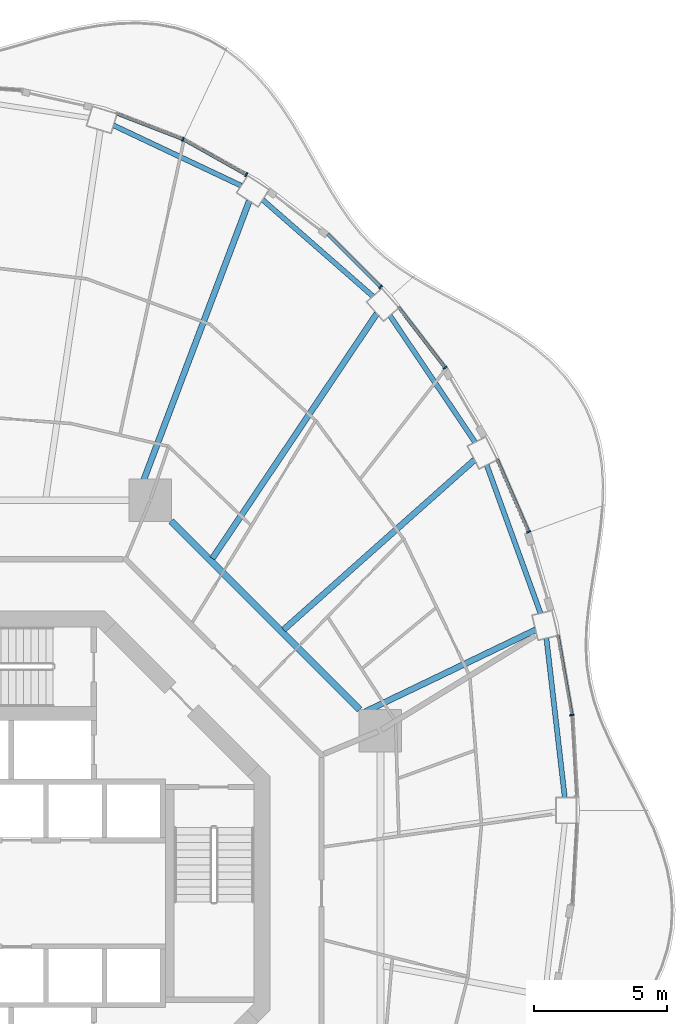
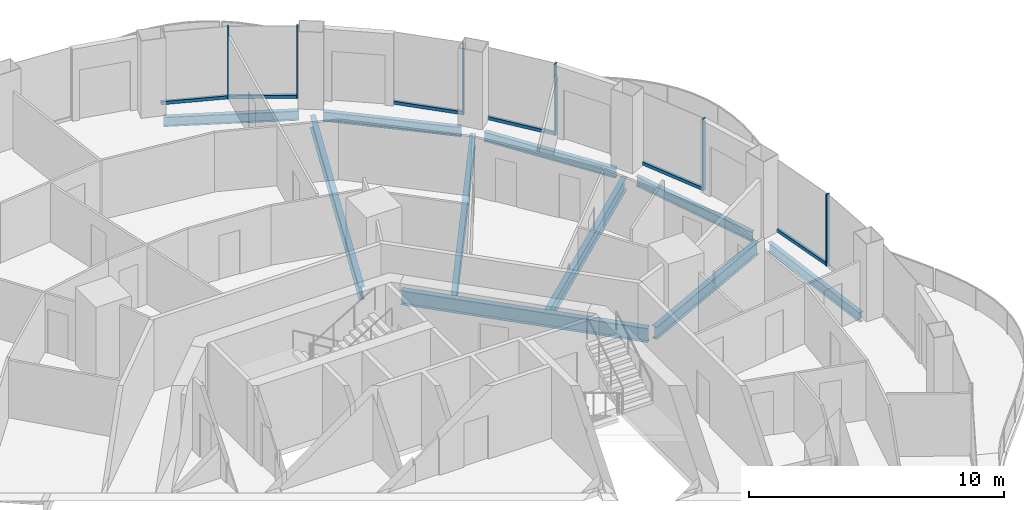
# One storey, part 7 of 18: 12 members, 10 beams, 6 elements without a shape of their own.
"""IFC4 building model written with IfcOpenShell, lengths in metres."""

from ifc_helpers import new_model, si_unit, direction, frame, origin, origin_2d, place, context, subcontext, project, spatial, rectangle, i_section, extrude, material, layer, layer_set, material_profile, profile_set, type_object, element, aggregate, save


model = new_model("IFC4")

# Units and contexts
model_context = context("Model", 3, precision=1e-05, world=origin(), true_north=direction((0.0, 1.0)))
body_context = subcontext(model_context, "Body", "Model", "MODEL_VIEW")
ifc_project = project(units=[si_unit("LENGTHUNIT", "METRE"), si_unit("AREAUNIT", "SQUARE_METRE"), si_unit("VOLUMEUNIT", "CUBIC_METRE"), si_unit("PLANEANGLEUNIT", "RADIAN"), si_unit("MASSUNIT", "GRAM", prefix="KILO")], contexts=[model_context])

# Site, building, storey
site_placement = place(None, origin())
site = spatial("IfcSite", under=ifc_project, at=site_placement, CompositionType="ELEMENT")
building_placement = place(site_placement, origin())
building = spatial("IfcBuilding", under=site, at=building_placement, Name="Nagisa Residences", CompositionType="ELEMENT")
storey_placement = place(building_placement, frame((0.0, 0.0, 245.5)))
storey = spatial("IfcBuildingStorey", under=building, at=storey_placement, Name="L62", CompositionType="ELEMENT", Elevation=245.5)

# Curtain wall, member
ifc_material_1 = material(Name="Concrete-coloured aluminium curtain wall system", Category="concrete")
ifc_layer = layer(ifc_material_1, 0.159912109375)
ifc_layer_set = layer_set([ifc_layer], Name="CW1 CURTAIN WALL")
curtain_wall_type = type_object("IfcCurtainWallType", Name="CW1 CURTAIN WALL", PredefinedType="NOTDEFINED", material=ifc_layer_set)
curtain_wall_1_placement = place(storey_placement, origin())
curtain_wall_1 = element("IfcCurtainWall", 1, at=curtain_wall_1_placement, inside=storey, type_object=curtain_wall_type, Name="cw:CW1:L62:01", PredefinedType="NOTDEFINED")
ifc_material_2 = material(Name="Concrete-coloured aluminium", Category="concrete")
ifc_material_profile_1 = material_profile(ifc_material_2, rectangle(XDim=0.159912109375, YDim=0.06005859375, at=origin_2d()), Name="CW1 MULLION 160x60")
ifc_profile_set_1 = profile_set([ifc_material_profile_1], Name="Concrete-coloured aluminium")
member_type_1 = type_object("IfcMemberType", Name="CW1 MULLION 160x60", PredefinedType="MULLION", material=ifc_profile_set_1)
member_1_placement = place(storey_placement, frame((21.980224609375, 6.70849609375, 0.0), z_axis=(0.0, 0.0, 1.0), x_axis=(-0.985063604377, -0.172190868898, 0.0)))
member_1 = element("IfcMember", 2, at=member_1_placement, type_object=member_type_1, Name="CW1 mullion", PredefinedType="MULLION", context=body_context, shape_type="SweptSolid", body=[
    extrude(rectangle(XDim=0.159912109375, YDim=0.06005859375, at=origin_2d()), origin(), (0.0, 0.0, 1.0), 3.43994140625),
])

curtain_wall_2_placement = place(storey_placement, origin())
curtain_wall_2 = element("IfcCurtainWall", 3, at=curtain_wall_2_placement, inside=storey, type_object=curtain_wall_type, Name="cw:CW1:L62:03", PredefinedType="NOTDEFINED")
member_2_placement = place(storey_placement, frame((20.3525390625, 13.59521484375, 0.0), z_axis=(0.0, 0.0, 1.0), x_axis=(-0.917543276295, -0.397635934147, 0.0)))
member_2 = element("IfcMember", 4, at=member_2_placement, type_object=member_type_1, Name="CW1 mullion", PredefinedType="MULLION", context=body_context, shape_type="SweptSolid", body=[
    extrude(rectangle(XDim=0.159912109375, YDim=0.06005859375, at=origin_2d()), origin(), (0.0, 0.0, 1.0), 3.43994140625),
])

curtain_wall_3_placement = place(storey_placement, origin())
curtain_wall_3 = element("IfcCurtainWall", 5, at=curtain_wall_3_placement, inside=storey, type_object=curtain_wall_type, Name="cw:CW1:L62:05", PredefinedType="NOTDEFINED")
member_3_placement = place(storey_placement, frame((17.21435546875, 19.7666015625, 0.0), z_axis=(0.0, 0.0, 1.0), x_axis=(-0.792070340816, -0.610429828235, 0.0)))
member_3 = element("IfcMember", 6, at=member_3_placement, type_object=member_type_1, Name="CW1 mullion", PredefinedType="MULLION", context=body_context, shape_type="SweptSolid", body=[
    extrude(rectangle(XDim=0.159912109375, YDim=0.06005859375, at=origin_2d()), origin(), (0.0, 0.0, 1.0), 3.43994140625),
])

curtain_wall_4_placement = place(storey_placement, origin())
curtain_wall_4 = element("IfcCurtainWall", 7, at=curtain_wall_4_placement, inside=storey, type_object=curtain_wall_type, Name="cw:CW1:L62:06", PredefinedType="NOTDEFINED")
member_4_placement = place(storey_placement, frame((14.788330078125, 22.802978515625, 0.0), z_axis=(0.0, 0.0, 1.0), x_axis=(-0.706376885714, -0.707835924016, 0.0)))
member_4 = element("IfcMember", 8, at=member_4_placement, type_object=member_type_1, Name="CW1 mullion", PredefinedType="MULLION", context=body_context, shape_type="SweptSolid", body=[
    extrude(rectangle(XDim=0.159912109375, YDim=0.06005859375, at=origin_2d()), origin(), (0.0, 0.0, 1.0), 3.43994140625),
])

curtain_wall_5_placement = place(storey_placement, origin())
curtain_wall_5 = element("IfcCurtainWall", 9, at=curtain_wall_5_placement, inside=storey, type_object=curtain_wall_type, Name="cw:CW1:L62:08", PredefinedType="NOTDEFINED")
member_5_placement = place(storey_placement, frame((9.733642578125, 27.02783203125, 0.0), z_axis=(0.0, 0.0, 1.0), x_axis=(-0.489376918501, -0.872072377523, 0.0)))
member_5 = element("IfcMember", 10, at=member_5_placement, type_object=member_type_1, Name="CW1 mullion", PredefinedType="MULLION", context=body_context, shape_type="SweptSolid", body=[
    extrude(rectangle(XDim=0.159912109375, YDim=0.06005859375, at=origin_2d()), origin(), (0.0, 0.0, 1.0), 3.43994140625),
])

curtain_wall_6_placement = place(storey_placement, origin())
curtain_wall_6 = element("IfcCurtainWall", 11, at=curtain_wall_6_placement, inside=storey, type_object=curtain_wall_type, Name="cw:CW1:L62:09", PredefinedType="NOTDEFINED")
member_6_placement = place(storey_placement, frame((7.3544921875, 28.35888671875, 0.0), z_axis=(0.0, 0.0, 1.0), x_axis=(-0.360327770268, -0.932825759707, 0.0)))
member_6 = element("IfcMember", 12, at=member_6_placement, type_object=member_type_1, Name="CW1 mullion", PredefinedType="MULLION", context=body_context, shape_type="SweptSolid", body=[
    extrude(rectangle(XDim=0.159912109375, YDim=0.06005859375, at=origin_2d()), origin(), (0.0, 0.0, 1.0), 3.43994140625),
])

# Member
ifc_material_3 = material(Name="Concrete-coloured aluminium", Category="concrete")
ifc_material_profile_2 = material_profile(ifc_material_3, rectangle(XDim=0.1201171875, YDim=0.14990234375, at=origin_2d()), Name="CW1 TRANSOM 120x150")
ifc_profile_set_2 = profile_set([ifc_material_profile_2], Name="Concrete-coloured aluminium")
member_type_2 = type_object("IfcMemberType", Name="CW1 TRANSOM 120x150", PredefinedType="USERDEFINED", material=ifc_profile_set_2)
member_7_placement = place(storey_placement, frame((21.9853515625, 6.678955078125, 0.074951171875), z_axis=(-0.172241318156, 0.985054784426, 0.0), x_axis=(-0.985054784426, -0.172241318156, 0.0)))
member_7 = element("IfcMember", 13, at=member_7_placement, type_object=member_type_2, Name="CW1 transom", ObjectType="TRANSOM", PredefinedType="USERDEFINED", context=body_context, shape_type="SweptSolid", body=[
    extrude(rectangle(XDim=0.1201171875, YDim=0.14990234375, at=origin_2d()), origin(), (0.0, 0.0, 1.0), 3.0673828125),
])

aggregate(curtain_wall_1, [member_1, member_7])

member_8_placement = place(storey_placement, frame((20.3642578125, 13.567626953125, 0.074951171875), z_axis=(-0.397616567135, 0.917551669139, 0.0), x_axis=(-0.917551669139, -0.397616567135, 0.0)))
member_8 = element("IfcMember", 14, at=member_8_placement, type_object=member_type_2, Name="CW1 transom", ObjectType="TRANSOM", PredefinedType="USERDEFINED", context=body_context, shape_type="SweptSolid", body=[
    extrude(rectangle(XDim=0.1201171875, YDim=0.14990234375, at=origin_2d()), origin(), (0.0, 0.0, 1.0), 3.001953125),
])

aggregate(curtain_wall_2, [member_2, member_8])

member_9_placement = place(storey_placement, frame((17.232666015625, 19.742919921875, 0.074951171875), z_axis=(-0.610438565676, 0.792063607001, 0.0), x_axis=(-0.792063607001, -0.610438565676, 0.0)))
member_9 = element("IfcMember", 15, at=member_9_placement, type_object=member_type_2, Name="CW1 transom", ObjectType="TRANSOM", PredefinedType="USERDEFINED", context=body_context, shape_type="SweptSolid", body=[
    extrude(rectangle(XDim=0.1201171875, YDim=0.14990234375, at=origin_2d()), origin(), (0.0, 0.0, 1.0), 2.90087890625),
])

aggregate(curtain_wall_3, [member_3, member_9])

member_10_placement = place(storey_placement, frame((14.8095703125, 22.781982421875, 0.074951171875), z_axis=(-0.707836044127, 0.706376765356, 0.0), x_axis=(-0.706376765356, -0.707836044127, 0.0)))
member_10 = element("IfcMember", 16, at=member_10_placement, type_object=member_type_2, Name="CW1 transom", ObjectType="TRANSOM", PredefinedType="USERDEFINED", context=body_context, shape_type="SweptSolid", body=[
    extrude(rectangle(XDim=0.1201171875, YDim=0.14990234375, at=origin_2d()), origin(), (0.0, 0.0, 1.0), 2.84423828125),
])

aggregate(curtain_wall_4, [member_4, member_10])

member_11_placement = place(storey_placement, frame((9.759765625, 27.012939453125, 0.074951171875), z_axis=(-0.872041873719, 0.489431272479, 0.0), x_axis=(-0.489431272479, -0.872041873719, 0.0)))
member_11 = element("IfcMember", 17, at=member_11_placement, type_object=member_type_2, Name="CW1 transom", ObjectType="TRANSOM", PredefinedType="USERDEFINED", context=body_context, shape_type="SweptSolid", body=[
    extrude(rectangle(XDim=0.1201171875, YDim=0.14990234375, at=origin_2d()), origin(), (0.0, 0.0, 1.0), 2.738037109375),
])

aggregate(curtain_wall_5, [member_5, member_11])

member_12_placement = place(storey_placement, frame((7.38232421875, 28.34814453125, 0.074951171875), z_axis=(-0.932826499224, 0.360325855782, 0.0), x_axis=(-0.360325855782, -0.932826499224, 0.0)))
member_12 = element("IfcMember", 18, at=member_12_placement, type_object=member_type_2, Name="CW1 transom", ObjectType="TRANSOM", PredefinedType="USERDEFINED", context=body_context, shape_type="SweptSolid", body=[
    extrude(rectangle(XDim=0.1201171875, YDim=0.14990234375, at=origin_2d()), origin(), (0.0, 0.0, 1.0), 2.696044921875),
])

aggregate(curtain_wall_6, [member_6, member_12])

# Beams
ifc_material_4 = material(Name="Steel ASTM A572 Gr 50", Category="steel")
ifc_material_profile_3 = material_profile(ifc_material_4, i_section(OverallWidth=0.2529296875, OverallDepth=0.677978515625, WebThickness=0.01171875, FlangeThickness=0.016357421875, at=origin_2d()), Name="W690x125")
ifc_profile_set_3 = profile_set([ifc_material_profile_3], Name="Steel ASTM A572 Gr 50")
beam_type_1 = type_object("IfcBeamType", Name="Inner ring beam W690x125", PredefinedType="BEAM", material=ifc_profile_set_3)
beam_1_placement = place(storey_placement, frame((13.99609375, 6.90869140625, -0.59912109375), z_axis=(-0.707106781187, 0.707106781187, 0.0), x_axis=(-0.707106781187, -0.707106781187, 0.0)))
element("IfcBeam", 19, at=beam_1_placement, inside=storey, type_object=beam_type_1, Name="beam:L62:ib1", PredefinedType="BEAM", context=body_context, shape_type="SweptSolid", body=[
    extrude(i_section(OverallWidth=0.2529296875, OverallDepth=0.677978515625, WebThickness=0.01171875, FlangeThickness=0.016357421875, at=origin_2d()), origin(), (0.0, 0.0, 1.0), 10.023193359375),
])
ifc_material_5 = material(Name="Steel ASTM A572 Gr 50", Category="steel")
ifc_material_profile_4 = material_profile(ifc_material_5, i_section(OverallWidth=0.18994140625, OverallDepth=0.45703125, WebThickness=0.009033203125, FlangeThickness=0.014404296875, at=origin_2d()), Name="W460x74")
ifc_profile_set_4 = profile_set([ifc_material_profile_4], Name="Steel ASTM A572 Gr 50")
beam_type_2 = type_object("IfcBeamType", Name="Perimeter ring beam W460x74", PredefinedType="BEAM", material=ifc_profile_set_4)
beam_2_placement = place(storey_placement, frame((21.714599609375, 3.597900390625, -0.488525390625), z_axis=(-0.114650193512, 0.993405925656, 0.0), x_axis=(-0.993405925656, -0.114650193512, 0.0)))
element("IfcBeam", 20, at=beam_2_placement, inside=storey, type_object=beam_type_2, Name="beam:L62:pb01", PredefinedType="BEAM", context=body_context, shape_type="SweptSolid", body=[
    extrude(i_section(OverallWidth=0.18994140625, OverallDepth=0.45703125, WebThickness=0.009033203125, FlangeThickness=0.014404296875, at=origin_2d()), origin(), (0.0, 0.0, 1.0), 6.0390625),
])
beam_3_placement = place(storey_placement, frame((20.802001953125, 10.53173828125, -0.488525390625), z_axis=(-0.34127712749, 0.939962723863, 0.0), x_axis=(-0.939962723863, -0.34127712749, 0.0)))
element("IfcBeam", 21, at=beam_3_placement, inside=storey, type_object=beam_type_2, Name="beam:L62:pb02", PredefinedType="BEAM", context=body_context, shape_type="SweptSolid", body=[
    extrude(i_section(OverallWidth=0.18994140625, OverallDepth=0.45703125, WebThickness=0.009033203125, FlangeThickness=0.014404296875, at=origin_2d()), origin(), (0.0, 0.0, 1.0), 5.9326171875),
])
beam_4_placement = place(storey_placement, frame((18.34228515625, 16.964111328125, -0.488525390625), z_axis=(-0.558109119402, 0.829767564345, 0.0), x_axis=(-0.829767564345, -0.558109119402, 0.0)))
element("IfcBeam", 22, at=beam_4_placement, inside=storey, type_object=beam_type_2, Name="beam:L62:pb03", PredefinedType="BEAM", context=body_context, shape_type="SweptSolid", body=[
    extrude(i_section(OverallWidth=0.18994140625, OverallDepth=0.45703125, WebThickness=0.009033203125, FlangeThickness=0.014404296875, at=origin_2d()), origin(), (0.0, 0.0, 1.0), 5.74365234375),
])
beam_5_placement = place(storey_placement, frame((14.502197265625, 22.45068359375, -0.488525390625), z_axis=(-0.75242320672, 0.65867998147, 0.0), x_axis=(-0.65867998147, -0.75242320672, 0.0)))
element("IfcBeam", 23, at=beam_5_placement, inside=storey, type_object=beam_type_2, Name="beam:L62:pb04", PredefinedType="BEAM", context=body_context, shape_type="SweptSolid", body=[
    extrude(i_section(OverallWidth=0.18994140625, OverallDepth=0.45703125, WebThickness=0.009033203125, FlangeThickness=0.014404296875, at=origin_2d()), origin(), (0.0, 0.0, 1.0), 5.5185546875),
])
beam_6_placement = place(storey_placement, frame((9.546630859375, 26.6123046875, -0.488525390625), z_axis=(-0.904133867308, 0.42724928319, 0.0), x_axis=(-0.42724928319, -0.904133867308, 0.0)))
element("IfcBeam", 24, at=beam_6_placement, inside=storey, type_object=beam_type_2, Name="beam:L62:pb05", PredefinedType="BEAM", context=body_context, shape_type="SweptSolid", body=[
    extrude(i_section(OverallWidth=0.18994140625, OverallDepth=0.45703125, WebThickness=0.009033203125, FlangeThickness=0.014404296875, at=origin_2d()), origin(), (0.0, 0.0, 1.0), 5.317138671875),
])
ifc_material_6 = material(Name="Steel ASTM A572 Gr 50", Category="steel")
ifc_material_profile_5 = material_profile(ifc_material_6, i_section(OverallWidth=0.22802734375, OverallDepth=0.60302734375, WebThickness=0.010498046875, FlangeThickness=0.014892578125, at=origin_2d()), Name="W610x101")
ifc_profile_set_5 = profile_set([ifc_material_profile_5], Name="Steel ASTM A572 Gr 50")
beam_type_3 = type_object("IfcBeamType", Name="Radial beam W610x101", PredefinedType="BEAM", material=ifc_profile_set_5)
beam_7_placement = place(storey_placement, frame((20.61572265625, 9.90869140625, -0.5615234375), z_axis=(-0.901297388138, -0.433200898124, 0.0), x_axis=(0.433200898124, -0.901297388138, 0.0)))
element("IfcBeam", 25, at=beam_7_placement, inside=storey, type_object=beam_type_3, Name="beam:L62:rb02", PredefinedType="BEAM", context=body_context, shape_type="SweptSolid", body=[
    extrude(i_section(OverallWidth=0.22802734375, OverallDepth=0.60302734375, WebThickness=0.010498046875, FlangeThickness=0.014892578125, at=origin_2d()), origin(), (0.0, 0.0, 1.0), 7.09423828125),
])
beam_8_placement = place(storey_placement, frame((18.318115234375, 16.301025390625, -0.5615234375), z_axis=(-0.747027831774, -0.664792763615, 0.0), x_axis=(0.664792763615, -0.747027831774, 0.0)))
element("IfcBeam", 26, at=beam_8_placement, inside=storey, type_object=beam_type_3, Name="beam:L62:rb03", PredefinedType="BEAM", context=body_context, shape_type="SweptSolid", body=[
    extrude(i_section(OverallWidth=0.22802734375, OverallDepth=0.60302734375, WebThickness=0.010498046875, FlangeThickness=0.014892578125, at=origin_2d()), origin(), (0.0, 0.0, 1.0), 9.607177734375),
])
beam_9_placement = place(storey_placement, frame((14.64697265625, 21.804931640625, -0.5615234375), z_axis=(-0.557606656779, -0.830105304354, 0.0), x_axis=(0.830105304354, -0.557606656779, 0.0)))
element("IfcBeam", 27, at=beam_9_placement, inside=storey, type_object=beam_type_3, Name="beam:L62:rb04", PredefinedType="BEAM", context=body_context, shape_type="SweptSolid", body=[
    extrude(i_section(OverallWidth=0.22802734375, OverallDepth=0.60302734375, WebThickness=0.010498046875, FlangeThickness=0.014892578125, at=origin_2d()), origin(), (0.0, 0.0, 1.0), 11.09423828125),
])
beam_10_placement = place(storey_placement, frame((9.84716796875, 26.04052734375, -0.5615234375), z_axis=(-0.353700839295, -0.935358603041, 0.0), x_axis=(0.935358603041, -0.353700839295, 0.0)))
element("IfcBeam", 28, at=beam_10_placement, inside=storey, type_object=beam_type_3, Name="beam:L62:rb05", PredefinedType="BEAM", context=body_context, shape_type="SweptSolid", body=[
    extrude(i_section(OverallWidth=0.22802734375, OverallDepth=0.60302734375, WebThickness=0.010498046875, FlangeThickness=0.014892578125, at=origin_2d()), origin(), (0.0, 0.0, 1.0), 11.921142578125),
])

save(model, "model.ifc")
